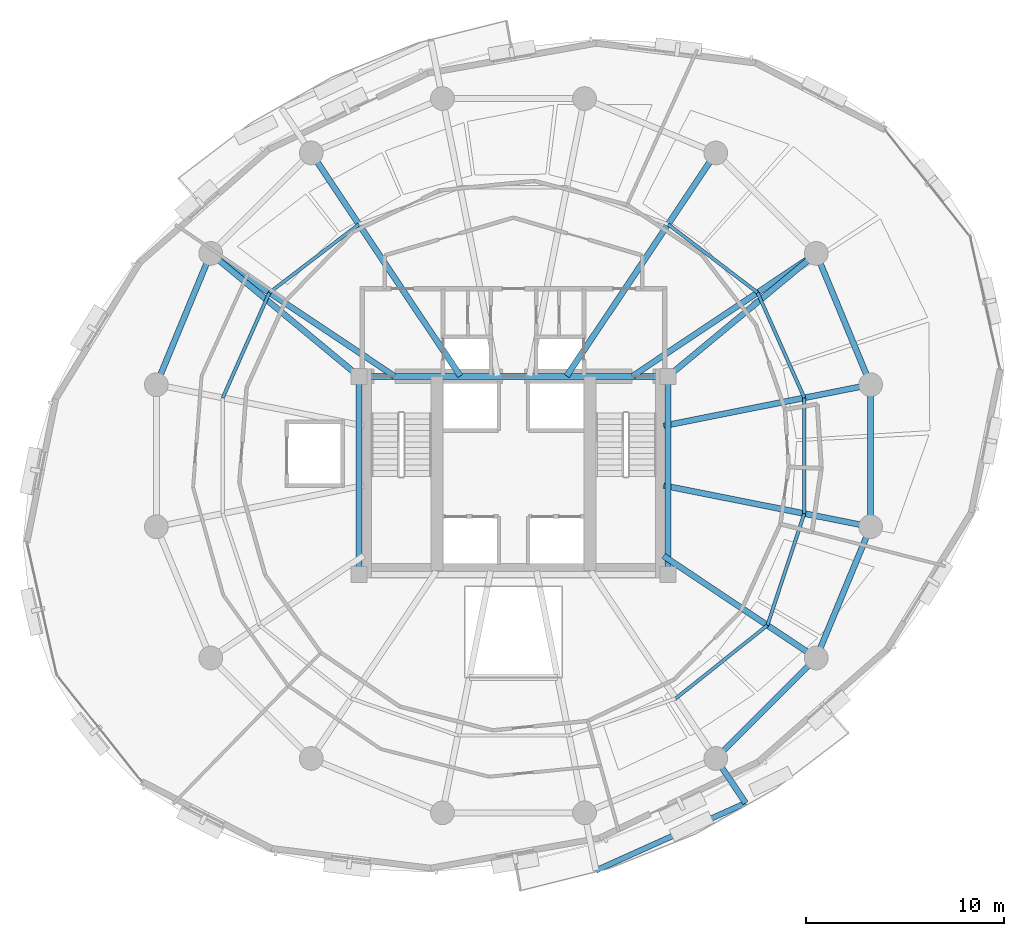
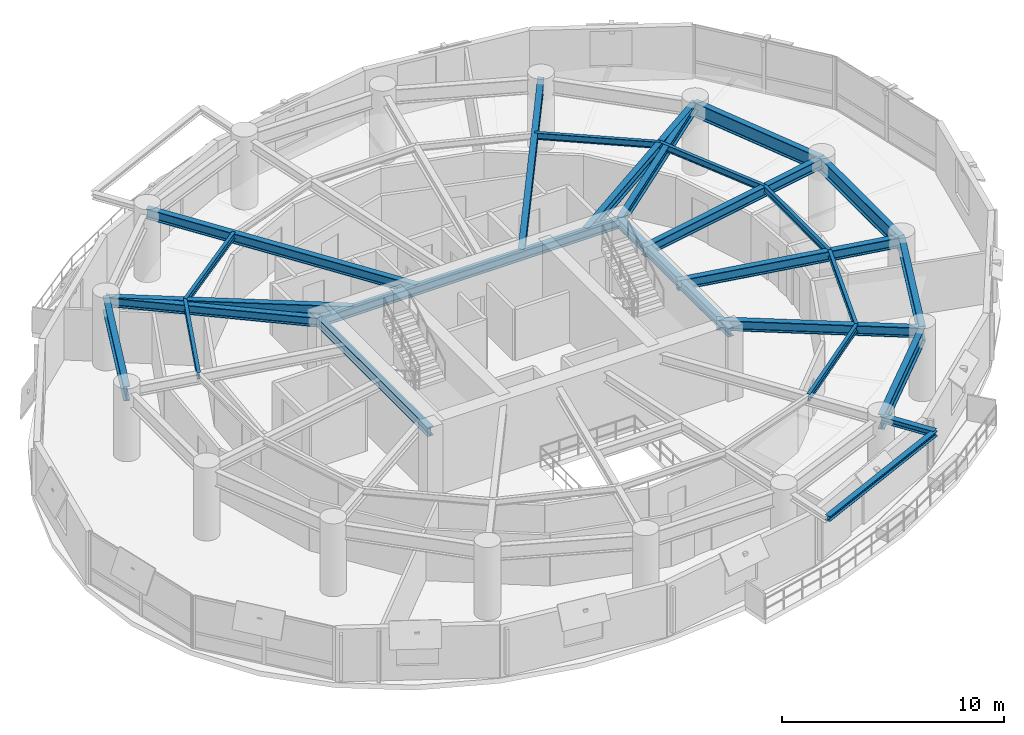
# One storey, part 5 of 15: 26 beams.
"""IFC4 building model written with IfcOpenShell, lengths in metres."""

import ifcopenshell
import ifcopenshell.guid

model = None  # the IFC model being written
_history = None  # IfcOwnerHistory: only IFC2X3 demands one
_inside = {}  # id of a spatial element -> (the spatial element, [elements in it])
_under = {}  # id of a project, library or spatial element -> (it, [spatial elements below it])
_declared = {}  # id of a project -> (the project, [libraries it declares])
_typed = {}  # id of a type object -> (the type object, [elements of that type])
_made_of = {}  # id of a material, layer set ... -> (it, [elements and type objects made of it])


def new_model(schema):
    """Start an empty IFC model of exactly this schema.

    Asked for "IFC4X3", IfcOpenShell would pick the latest addendum, in which some entities
    have other attributes; the version numbers below select the first issue.
    IFC2X3 requires an IfcOwnerHistory on every rooted entity: one is made here for all.
    """
    global model, _history
    if schema == "IFC4X3":
        model = ifcopenshell.file(schema_version=(4, 3, 0, 0))
    else:
        model = ifcopenshell.file(schema=schema)
    _inside.clear()
    _under.clear()
    _declared.clear()
    _typed.clear()
    _made_of.clear()
    _history = None
    if model.schema == "IFC2X3":
        org = make("IfcOrganization", Name="unknown")
        user = make(
            "IfcPersonAndOrganization",
            ThePerson=make("IfcPerson", FamilyName="unknown"),
            TheOrganization=org,
        )
        app = make(
            "IfcApplication",
            ApplicationDeveloper=org,
            Version="unknown",
            ApplicationFullName="unknown",
            ApplicationIdentifier="unknown",
        )
        _history = make(
            "IfcOwnerHistory",
            OwningUser=user,
            OwningApplication=app,
            ChangeAction="ADDED",
            CreationDate=0,
        )
    return model


def make(cls, **values):
    """One entity of the class cls with the attributes given. An attribute that is None is left unset."""
    return model.create_entity(
        cls, **{name: value for name, value in values.items() if value is not None}
    )


def rooted(cls, **values):
    """An entity with a GlobalId (a new one), such as an element, a storey or a relation."""
    return make(cls, GlobalId=ifcopenshell.guid.new(), OwnerHistory=_history, **values)


def si_unit(unit_type, name, prefix=None):
    """IfcSIUnit, for example si_unit("LENGTHUNIT", "METRE", prefix="MILLI")."""
    return make("IfcSIUnit", UnitType=unit_type, Prefix=prefix, Name=name)


def assignment(units):
    """IfcUnitAssignment: the units of a project."""
    return None if units is None else make("IfcUnitAssignment", Units=units)


def point(xyz):
    """IfcCartesianPoint."""
    return None if xyz is None else make("IfcCartesianPoint", Coordinates=xyz)


def direction(xyz):
    """IfcDirection."""
    return None if xyz is None else make("IfcDirection", DirectionRatios=xyz)


def frame(location, z_axis=None, x_axis=None):
    """IfcAxis2Placement3D, a coordinate frame: its origin and axes. An axis left out is left unset."""
    return make(
        "IfcAxis2Placement3D",
        Location=point(location),
        Axis=direction(z_axis),
        RefDirection=direction(x_axis),
    )


def frame_2d(location, x_axis=None):
    """IfcAxis2Placement2D, a coordinate frame in the plane: its origin and x axis."""
    return make(
        "IfcAxis2Placement2D", Location=point(location), RefDirection=direction(x_axis)
    )


def origin():
    """The frame at (0, 0, 0) with its axes left unset."""
    return frame((0.0, 0.0, 0.0))


def origin_2d():
    """The frame at (0, 0) in the plane with its x axis left unset."""
    return frame_2d((0.0, 0.0))


def place(relative_to, where):
    """IfcLocalPlacement: puts the frame where relative to a parent placement (None: the world)."""
    return make(
        "IfcLocalPlacement", PlacementRelTo=relative_to, RelativePlacement=where
    )


def context(
    kind, dimensions, precision=None, world=None, true_north=None, identifier=None
):
    """IfcGeometricRepresentationContext, for example the 3D "Model" context."""
    return make(
        "IfcGeometricRepresentationContext",
        ContextIdentifier=identifier,
        ContextType=kind,
        CoordinateSpaceDimension=dimensions,
        Precision=precision,
        WorldCoordinateSystem=world,
        TrueNorth=true_north,
    )


def subcontext(parent, identifier, kind, view, scale=None):
    """IfcGeometricRepresentationSubContext, for example "Body" below "Model"."""
    return make(
        "IfcGeometricRepresentationSubContext",
        ContextIdentifier=identifier,
        ContextType=kind,
        ParentContext=parent,
        TargetScale=scale,
        TargetView=view,
    )


def project(units=None, contexts=None):
    """IfcProject with its units and contexts."""
    return rooted(
        "IfcProject",
        Name="project",
        RepresentationContexts=contexts,
        UnitsInContext=assignment(units),
    )


def spatial(cls, under=None, at=None, **own):
    """A site, building, storey or space (cls), placed at a placement, below another one or the project."""
    s = rooted(cls, ObjectPlacement=at, **own)
    if under is not None:
        _under.setdefault(under.id(), (under, []))[1].append(s)
    return s


def profile(cls, at=None, kind="AREA", **sizes):
    """A parametric profile (cls). Its sizes go by their IFC names, for example OverallWidth=200.0."""
    return make(cls, ProfileType=kind, Position=at, **sizes)


def i_section(**sizes):
    """IfcIShapeProfileDef."""
    return profile("IfcIShapeProfileDef", **sizes)


def extrude(swept, where, along, depth):
    """IfcExtrudedAreaSolid: the profile swept, set in the frame where, extruded along a direction by depth."""
    return make(
        "IfcExtrudedAreaSolid",
        SweptArea=swept,
        Position=where,
        ExtrudedDirection=direction(along),
        Depth=depth,
    )


def shape(context_of_items, identifier, shape_type, items):
    """IfcShapeRepresentation: the items that make up one representation, for example the "Body"."""
    return make(
        "IfcShapeRepresentation",
        ContextOfItems=context_of_items,
        RepresentationIdentifier=identifier,
        RepresentationType=shape_type,
        Items=items,
    )


def material(Name=None, Category=None):
    """IfcMaterial."""
    return make("IfcMaterial", Name=Name, Category=Category)


def material_profile(
    of_material, cross_section, Name=None, Category=None, Priority=None
):
    """IfcMaterialProfile: a cross section and its material."""
    return make(
        "IfcMaterialProfile",
        Name=Name,
        Material=of_material,
        Profile=cross_section,
        Priority=Priority,
        Category=Category,
    )


def profile_set(profiles, Name=None, composite=None):
    """IfcMaterialProfileSet."""
    return make(
        "IfcMaterialProfileSet",
        Name=Name,
        MaterialProfiles=profiles,
        CompositeProfile=composite,
    )


def made_of(thing, what):
    """Note that an element or type object is made of a material, layer set ...; save() writes the relation."""
    if what is not None:
        _made_of.setdefault(what.id(), (what, []))[1].append(thing)
    return thing


def type_object(cls, material=None, **own):
    """A type object (cls), such as IfcWallType, which elements share."""
    return made_of(rooted(cls, **own), material)


def element(
    cls,
    number,
    at=None,
    inside=None,
    cuts=None,
    type_object=None,
    material=None,
    context=None,
    identifier="Body",
    shape_type=None,
    held_by="IfcProductDefinitionShape",
    body=None,
    shapes=None,
    **own,
):
    """One element of the class cls, such as IfcWall. Its Tag is "e" and its number.

    at: its placement. inside: the storey or other place that contains it. cuts: it is an
    opening in that element (IfcRelVoidsElement). A single representation is given by context,
    identifier, shape_type and body (its items); several are given by shapes. held_by: the class
    of the entity that holds the representations. save() writes the other relations.
    """
    e = rooted(cls, Tag="e%d" % number, ObjectPlacement=at, **own)
    if body is not None:
        shapes = [shape(context, identifier, shape_type, body)]
    if shapes is not None:
        e.Representation = make(held_by, Representations=shapes)
    if inside is not None:
        _inside.setdefault(inside.id(), (inside, []))[1].append(e)
    if cuts is not None:
        rooted(
            "IfcRelVoidsElement", RelatingBuildingElement=cuts, RelatedOpeningElement=e
        )
    if type_object is not None:
        _typed.setdefault(type_object.id(), (type_object, []))[1].append(e)
    return made_of(e, material)


def aggregate(whole, parts):
    """IfcRelAggregates: a whole, such as a stair, and the parts it consists of."""
    return rooted("IfcRelAggregates", RelatingObject=whole, RelatedObjects=parts)


def save(model, path):
    """Write the relations noted so far, then the file.

    IfcRelAggregates (storeys below a building ...), IfcRelContainedInSpatialStructure (elements
    in a storey), IfcRelDefinesByType, IfcRelAssociatesMaterial and IfcRelDeclares: one each for
    every whole, place, type object, material and project.
    """
    for whole, parts in _under.values():
        aggregate(whole, parts)
    for where, things in _inside.values():
        rooted(
            "IfcRelContainedInSpatialStructure",
            RelatedElements=things,
            RelatingStructure=where,
        )
    for kind, things in _typed.values():
        rooted("IfcRelDefinesByType", RelatedObjects=things, RelatingType=kind)
    for what, things in _made_of.values():
        rooted("IfcRelAssociatesMaterial", RelatedObjects=things, RelatingMaterial=what)
    for by, libraries in _declared.values():
        rooted("IfcRelDeclares", RelatingContext=by, RelatedDefinitions=libraries)
    model.write(path)


model = new_model("IFC4")

# Units and contexts
model_context = context("Model", 3, precision=1e-05, world=origin(), true_north=direction((0.0, 1.0)))
body_context = subcontext(model_context, "Body", "Model", "MODEL_VIEW")
ifc_project = project(units=[si_unit("LENGTHUNIT", "METRE"), si_unit("AREAUNIT", "SQUARE_METRE"), si_unit("VOLUMEUNIT", "CUBIC_METRE"), si_unit("PLANEANGLEUNIT", "RADIAN"), si_unit("MASSUNIT", "GRAM", prefix="KILO"), si_unit("THERMODYNAMICTEMPERATUREUNIT", "KELVIN"), si_unit("POWERUNIT", "WATT")], contexts=[model_context])

# Site, building, storey
site_placement = place(None, origin())
site = spatial("IfcSite", under=ifc_project, at=site_placement, CompositionType="ELEMENT")
building_placement = place(site_placement, origin())
building = spatial("IfcBuilding", under=site, at=building_placement, Name="Ocrelia Relay Tower", CompositionType="ELEMENT")
storey_placement = place(building_placement, frame((0.0, 0.0, 141.800048828125)))
storey = spatial("IfcBuildingStorey", under=building, at=storey_placement, Name="L33", CompositionType="ELEMENT", Elevation=141.800048828125)

# Beams
ifc_material = material(Name="Steel S355", Category="steel")
ifc_material_profile_1 = material_profile(ifc_material, i_section(OverallWidth=0.280029296875, OverallDepth=0.27001953125, WebThickness=0.008056640625, FlangeThickness=0.012939453125, FilletRadius=0.02392578125, at=origin_2d()), Name="HEA 280")
ifc_profile_set_1 = profile_set([ifc_material_profile_1], Name="Steel S355")
beam_type_1 = type_object("IfcBeamType", Name="BM-HEA280", PredefinedType="BEAM", material=ifc_profile_set_1)
beam_1_placement = place(storey_placement, frame((38.168701171875, 5.043212890625, 3.5849609375), z_axis=(0.911836082093, 0.410554453627, 0.0), x_axis=(-0.410554453627, 0.911836082093, 0.0)))
element("IfcBeam", 1, at=beam_1_placement, inside=storey, type_object=beam_type_1, Name="L34 Balcony Edge Trimmer Beam B2", PredefinedType="BEAM", context=body_context, shape_type="SweptSolid", body=[
    extrude(i_section(OverallWidth=0.280029296875, OverallDepth=0.27001953125, WebThickness=0.008056640625, FlangeThickness=0.012939453125, FilletRadius=0.02392578125, at=origin_2d()), origin(), (0.0, 0.0, 1.0), 8.290771484375),
])
ifc_material_profile_2 = material_profile(ifc_material, i_section(OverallWidth=0.300048828125, OverallDepth=0.330078125, WebThickness=0.009521484375, FlangeThickness=0.0166015625, FilletRadius=0.027099609375, at=origin_2d()), Name="HEA 340")
ifc_profile_set_2 = profile_set([ifc_material_profile_2], Name="Steel S355")
beam_type_2 = type_object("IfcBeamType", Name="BM-HEA340", PredefinedType="BEAM", material=ifc_profile_set_2)
beam_2_placement = place(storey_placement, frame((44.222412109375, 10.700927734375, 3.554931640625), z_axis=(0.555593570168, -0.831454018445, 0.0), x_axis=(0.831454018445, 0.555593570168, 0.0)))
element("IfcBeam", 2, at=beam_2_placement, inside=storey, type_object=beam_type_2, Name="L34 Balcony Cantilever Beam B2-2", PredefinedType="BEAM", context=body_context, shape_type="SweptSolid", body=[
    extrude(i_section(OverallWidth=0.300048828125, OverallDepth=0.330078125, WebThickness=0.009521484375, FlangeThickness=0.0166015625, FilletRadius=0.027099609375, at=origin_2d()), origin(), (0.0, 0.0, 1.0), 2.710693359375),
])
ifc_material_profile_3 = material_profile(ifc_material, i_section(OverallWidth=0.300048828125, OverallDepth=0.5, WebThickness=0.014404296875, FlangeThickness=0.028076171875, FilletRadius=0.027099609375, at=origin_2d()), Name="HEB 500")
ifc_profile_set_3 = profile_set([ifc_material_profile_3], Name="Steel S355")
beam_type_3 = type_object("IfcBeamType", Name="BM-HEB500", PredefinedType="BEAM", material=ifc_profile_set_3)
beam_3_placement = place(storey_placement, frame((26.199951171875, 30.0, 3.469970703125), z_axis=(1.0, 0.0, 0.0), x_axis=(0.0, 1.0, 0.0)))
element("IfcBeam", 3, at=beam_3_placement, inside=storey, type_object=beam_type_3, Name="L33 Core Pilaster Tie Beam N", PredefinedType="BEAM", context=body_context, shape_type="SweptSolid", body=[
    extrude(i_section(OverallWidth=0.300048828125, OverallDepth=0.5, WebThickness=0.014404296875, FlangeThickness=0.028076171875, FilletRadius=0.027099609375, at=origin_2d()), origin(), (0.0, 0.0, 1.0), 15.60009765625),
])
for number, where, z_axis, x_axis, name in (
    (4, (26.199951171875, 20.0, 3.469970703125), (0.0, 1.0, 0.0), (-1.0, 0.0, 0.0), "L33 Core Pilaster Tie Beam W"),
    (5, (41.800048828125, 20.0, 3.469970703125), (0.0, 1.0, 0.0), (-1.0, 0.0, 0.0), "L33 Core Pilaster Tie Beam E"),
):
    element("IfcBeam", number, at=place(storey_placement, frame(where, z_axis=z_axis, x_axis=x_axis)), inside=storey, type_object=beam_type_3, Name=name, PredefinedType="BEAM", context=body_context, shape_type="SweptSolid", body=[
        extrude(i_section(OverallWidth=0.300048828125, OverallDepth=0.5, WebThickness=0.014404296875, FlangeThickness=0.028076171875, FilletRadius=0.027099609375, at=origin_2d()), origin(), (0.0, 0.0, 1.0), 10.0),
    ])
for number, where, z_axis, x_axis, name in (
    (6, (49.299072265625, 36.222412109375, 3.469970703125), (-0.769570862751, -0.638561420072, 0.0), (0.638561420072, -0.769570862751, 0.0), "L33 Core Pilaster Frame Tie Beam PT02"),
    (7, (18.700927734375, 36.222412109375, 3.469970703125), (0.769570862751, -0.638561420072, 0.0), (0.638561420072, 0.769570862751, 0.0), "L33 Core Pilaster Frame Tie Beam PT07"),
):
    element("IfcBeam", number, at=place(storey_placement, frame(where, z_axis=z_axis, x_axis=x_axis)), inside=storey, type_object=beam_type_3, Name=name, PredefinedType="BEAM", context=body_context, shape_type="SweptSolid", body=[
        extrude(i_section(OverallWidth=0.300048828125, OverallDepth=0.5, WebThickness=0.014404296875, FlangeThickness=0.028076171875, FilletRadius=0.027099609375, at=origin_2d()), origin(), (0.0, 0.0, 1.0), 9.744384765625),
    ])
ifc_material_profile_4 = material_profile(ifc_material, i_section(OverallWidth=0.300048828125, OverallDepth=0.550048828125, WebThickness=0.014892578125, FlangeThickness=0.029052734375, FilletRadius=0.027099609375, at=origin_2d()), Name="HEB 550")
ifc_profile_set_4 = profile_set([ifc_material_profile_4], Name="Steel S355")
beam_type_4 = type_object("IfcBeamType", Name="BM-HEB550", PredefinedType="BEAM", material=ifc_profile_set_4)
beam_4_placement = place(storey_placement, frame((52.04638671875, 29.589599609375, 3.445068359375), z_axis=(-0.980786914024, -0.195082109071, 0.0), x_axis=(0.195082109071, -0.980786914024, 0.0)))
element("IfcBeam", 8, at=beam_4_placement, inside=storey, type_object=beam_type_4, Name="L33 Radial Floor Girder R01", PredefinedType="BEAM", context=body_context, shape_type="SweptSolid", body=[
    extrude(i_section(OverallWidth=0.300048828125, OverallDepth=0.550048828125, WebThickness=0.014892578125, FlangeThickness=0.029052734375, FilletRadius=0.027099609375, at=origin_2d()), origin(), (0.0, 0.0, 1.0), 10.67138671875),
])
beam_5_placement = place(storey_placement, frame((49.299072265625, 36.222412109375, 3.445068359375), z_axis=(-0.83147699108, -0.555559189741, 0.0), x_axis=(0.555559189741, -0.83147699108, 0.0)))
element("IfcBeam", 9, at=beam_5_placement, inside=storey, type_object=beam_type_4, Name="L33 Radial Floor Girder R02", PredefinedType="BEAM", context=body_context, shape_type="SweptSolid", body=[
    extrude(i_section(OverallWidth=0.300048828125, OverallDepth=0.550048828125, WebThickness=0.014892578125, FlangeThickness=0.029052734375, FilletRadius=0.027099609375, at=origin_2d()), origin(), (0.0, 0.0, 1.0), 11.146240234375),
])
for number, where, z_axis, x_axis, name in (
    (10, (44.222412109375, 41.299072265625, 3.445068359375), (-0.555560399988, -0.83147618244, 0.0), (0.83147618244, -0.555560399988, 0.0), "L33 Radial Floor Girder R03"),
    (11, (23.777587890625, 41.299072265625, 3.445068359375), (0.555560399988, -0.83147618244, 0.0), (0.83147618244, 0.555560399988, 0.0), "L33 Radial Floor Girder R06"),
):
    element("IfcBeam", number, at=place(storey_placement, frame(where, z_axis=z_axis, x_axis=x_axis)), inside=storey, type_object=beam_type_4, Name=name, PredefinedType="BEAM", context=body_context, shape_type="SweptSolid", body=[
        extrude(i_section(OverallWidth=0.300048828125, OverallDepth=0.550048828125, WebThickness=0.014892578125, FlangeThickness=0.029052734375, FilletRadius=0.027099609375, at=origin_2d()), origin(), (0.0, 0.0, 1.0), 13.552978515625),
    ])
beam_6_placement = place(storey_placement, frame((18.700927734375, 36.222412109375, 3.445068359375), z_axis=(0.83147699108, -0.555559189741, 0.0), x_axis=(0.555559189741, 0.83147699108, 0.0)))
element("IfcBeam", 12, at=beam_6_placement, inside=storey, type_object=beam_type_4, Name="L33 Radial Floor Girder R07", PredefinedType="BEAM", context=body_context, shape_type="SweptSolid", body=[
    extrude(i_section(OverallWidth=0.300048828125, OverallDepth=0.550048828125, WebThickness=0.014892578125, FlangeThickness=0.029052734375, FilletRadius=0.027099609375, at=origin_2d()), origin(), (0.0, 0.0, 1.0), 11.146240234375),
])
beam_7_placement = place(storey_placement, frame((49.299072265625, 15.777587890625, 3.445068359375), z_axis=(-0.8314672312, 0.555573796575, 0.0), x_axis=(-0.555573796575, -0.8314672312, 0.0)))
element("IfcBeam", 13, at=beam_7_placement, inside=storey, type_object=beam_type_4, Name="L33 Radial Floor Girder R15", PredefinedType="BEAM", context=body_context, shape_type="SweptSolid", body=[
    extrude(i_section(OverallWidth=0.300048828125, OverallDepth=0.550048828125, WebThickness=0.014892578125, FlangeThickness=0.029052734375, FilletRadius=0.027099609375, at=origin_2d()), origin(), (0.0, 0.0, 1.0), 9.28369140625),
])
beam_8_placement = place(storey_placement, frame((52.04638671875, 22.410400390625, 3.445068359375), z_axis=(-0.980786914024, 0.195082109071, 0.0), x_axis=(-0.195082109071, -0.980786914024, 0.0)))
element("IfcBeam", 14, at=beam_8_placement, inside=storey, type_object=beam_type_4, Name="L33 Radial Floor Girder R16", PredefinedType="BEAM", context=body_context, shape_type="SweptSolid", body=[
    extrude(i_section(OverallWidth=0.300048828125, OverallDepth=0.550048828125, WebThickness=0.014892578125, FlangeThickness=0.029052734375, FilletRadius=0.027099609375, at=origin_2d()), origin(), (0.0, 0.0, 1.0), 10.67138671875),
])
ifc_material_profile_5 = material_profile(ifc_material, i_section(OverallWidth=0.300048828125, OverallDepth=0.800048828125, WebThickness=0.017578125, FlangeThickness=0.032958984375, FilletRadius=0.030029296875, at=origin_2d()), Name="HEB 800")
ifc_profile_set_5 = profile_set([ifc_material_profile_5], Name="Steel S355")
beam_type_5 = type_object("IfcBeamType", Name="BM-HEB800", PredefinedType="BEAM", material=ifc_profile_set_5)
for number, where, z_axis, x_axis, name in (
    (15, (52.04638671875, 29.589599609375, 3.320068359375), (-0.382673155247, 0.923883789366, 0.0), (-0.923883789366, -0.382673155247, 0.0), "L33 Perimeter Spandrel Beam S01"),
    (16, (18.700927734375, 36.222412109375, 3.320068359375), (-0.382673155247, -0.923883789366, 0.0), (0.923883789366, -0.382673155247, 0.0), "L33 Perimeter Spandrel Beam S07"),
):
    element("IfcBeam", number, at=place(storey_placement, frame(where, z_axis=z_axis, x_axis=x_axis)), inside=storey, type_object=beam_type_5, Name=name, PredefinedType="BEAM", context=body_context, shape_type="SweptSolid", body=[
        extrude(i_section(OverallWidth=0.300048828125, OverallDepth=0.800048828125, WebThickness=0.017578125, FlangeThickness=0.032958984375, FilletRadius=0.030029296875, at=origin_2d()), origin(), (0.0, 0.0, 1.0), 7.17919921875),
    ])
beam_9_placement = place(storey_placement, frame((44.222412109375, 10.700927734375, 3.320068359375), z_axis=(0.707106781187, 0.707106781187, 0.0), x_axis=(-0.707106781187, 0.707106781187, 0.0)))
element("IfcBeam", 17, at=beam_9_placement, inside=storey, type_object=beam_type_5, Name="L33 Perimeter Spandrel Beam S14", PredefinedType="BEAM", context=body_context, shape_type="SweptSolid", body=[
    extrude(i_section(OverallWidth=0.300048828125, OverallDepth=0.800048828125, WebThickness=0.017578125, FlangeThickness=0.032958984375, FilletRadius=0.030029296875, at=origin_2d()), origin(), (0.0, 0.0, 1.0), 7.179443359375),
])
for number, where, z_axis, x_axis, name in (
    (18, (49.299072265625, 15.777587890625, 3.320068359375), (0.382673155247, 0.923883789366, 0.0), (-0.923883789366, 0.382673155247, 0.0), "L33 Perimeter Spandrel Beam S15"),
    (19, (52.04638671875, 22.410400390625, 3.320068359375), (0.0, 1.0, 0.0), (-1.0, 0.0, 0.0), "L33 Perimeter Spandrel Beam S16"),
):
    element("IfcBeam", number, at=place(storey_placement, frame(where, z_axis=z_axis, x_axis=x_axis)), inside=storey, type_object=beam_type_5, Name=name, PredefinedType="BEAM", context=body_context, shape_type="SweptSolid", body=[
        extrude(i_section(OverallWidth=0.300048828125, OverallDepth=0.800048828125, WebThickness=0.017578125, FlangeThickness=0.032958984375, FilletRadius=0.030029296875, at=origin_2d()), origin(), (0.0, 0.0, 1.0), 7.17919921875),
    ])
ifc_material_profile_6 = material_profile(ifc_material, i_section(OverallWidth=0.169921875, OverallDepth=0.360107421875, WebThickness=0.008056640625, FlangeThickness=0.0126953125, FilletRadius=0.01806640625, at=origin_2d()), Name="IPE 360")
ifc_profile_set_6 = profile_set([ifc_material_profile_6], Name="Steel S355")
beam_type_6 = type_object("IfcBeamType", Name="BM-IPE360", PredefinedType="JOIST", material=ifc_profile_set_6)
beam_10_placement = place(storey_placement, frame((48.697265625, 28.923583984375, 3.5400390625), z_axis=(-0.406243565397, 0.913764830563, 0.0), x_axis=(-0.913764830563, -0.406243565397, 0.0)))
element("IfcBeam", 20, at=beam_10_placement, inside=storey, type_object=beam_type_6, Name="L33 Secondary Floor Joist J01", PredefinedType="JOIST", context=body_context, shape_type="SweptSolid", body=[
    extrude(i_section(OverallWidth=0.169921875, OverallDepth=0.360107421875, WebThickness=0.008056640625, FlangeThickness=0.0126953125, FilletRadius=0.01806640625, at=origin_2d()), origin(), (0.0, 0.0, 1.0), 5.819091796875),
])
for number, where, z_axis, x_axis, name in (
    (21, (46.333251953125, 34.240966796875, 3.5400390625), (-0.794762167004, 0.60692099807, 0.0), (-0.60692099807, -0.794762167004, 0.0), "L33 Secondary Floor Joist J02"),
    (22, (26.18701171875, 37.69287109375, 3.5400390625), (-0.794762167004, -0.60692099807, 0.0), (0.60692099807, -0.794762167004, 0.0), "L33 Secondary Floor Joist J06"),
):
    element("IfcBeam", number, at=place(storey_placement, frame(where, z_axis=z_axis, x_axis=x_axis)), inside=storey, type_object=beam_type_6, Name=name, PredefinedType="JOIST", context=body_context, shape_type="SweptSolid", body=[
        extrude(i_section(OverallWidth=0.169921875, OverallDepth=0.360107421875, WebThickness=0.008056640625, FlangeThickness=0.0126953125, FilletRadius=0.01806640625, at=origin_2d()), origin(), (0.0, 0.0, 1.0), 5.6875),
    ])
beam_11_placement = place(storey_placement, frame((21.666748046875, 34.240966796875, 3.5400390625), z_axis=(-0.405741333342, -0.913987948727, 0.0), x_axis=(0.913987948727, -0.405741333342, 0.0)))
element("IfcBeam", 23, at=beam_11_placement, inside=storey, type_object=beam_type_6, Name="L33 Secondary Floor Joist J07", PredefinedType="JOIST", context=body_context, shape_type="SweptSolid", body=[
    extrude(i_section(OverallWidth=0.169921875, OverallDepth=0.360107421875, WebThickness=0.008056640625, FlangeThickness=0.0126953125, FilletRadius=0.01806640625, at=origin_2d()), origin(), (0.0, 0.0, 1.0), 5.818603515625),
])
beam_12_placement = place(storey_placement, frame((42.197998046875, 13.731201171875, 3.5400390625), z_axis=(0.781519577804, 0.623880717372, 0.0), x_axis=(-0.623880717372, 0.781519577804, 0.0)))
element("IfcBeam", 24, at=beam_12_placement, inside=storey, type_object=beam_type_6, Name="L33 Secondary Floor Joist J14", PredefinedType="JOIST", context=body_context, shape_type="SweptSolid", body=[
    extrude(i_section(OverallWidth=0.169921875, OverallDepth=0.360107421875, WebThickness=0.008056640625, FlangeThickness=0.0126953125, FilletRadius=0.01806640625, at=origin_2d()), origin(), (0.0, 0.0, 1.0), 5.925537109375),
])
beam_13_placement = place(storey_placement, frame((46.828857421875, 17.427978515625, 3.5400390625), z_axis=(0.314047924314, 0.949407131443, 0.0), x_axis=(-0.949407131443, 0.314047924314, 0.0)))
element("IfcBeam", 25, at=beam_13_placement, inside=storey, type_object=beam_type_6, Name="L33 Secondary Floor Joist J15", PredefinedType="JOIST", context=body_context, shape_type="SweptSolid", body=[
    extrude(i_section(OverallWidth=0.169921875, OverallDepth=0.360107421875, WebThickness=0.008056640625, FlangeThickness=0.0126953125, FilletRadius=0.01806640625, at=origin_2d()), origin(), (0.0, 0.0, 1.0), 5.949462890625),
])
beam_14_placement = place(storey_placement, frame((48.697265625, 23.076416015625, 3.5400390625), z_axis=(0.0, 1.0, 0.0), x_axis=(-1.0, 0.0, 0.0)))
element("IfcBeam", 26, at=beam_14_placement, inside=storey, type_object=beam_type_6, Name="L33 Secondary Floor Joist J16", PredefinedType="JOIST", context=body_context, shape_type="SweptSolid", body=[
    extrude(i_section(OverallWidth=0.169921875, OverallDepth=0.360107421875, WebThickness=0.008056640625, FlangeThickness=0.0126953125, FilletRadius=0.01806640625, at=origin_2d()), origin(), (0.0, 0.0, 1.0), 5.84716796875),
])

save(model, "model.ifc")
